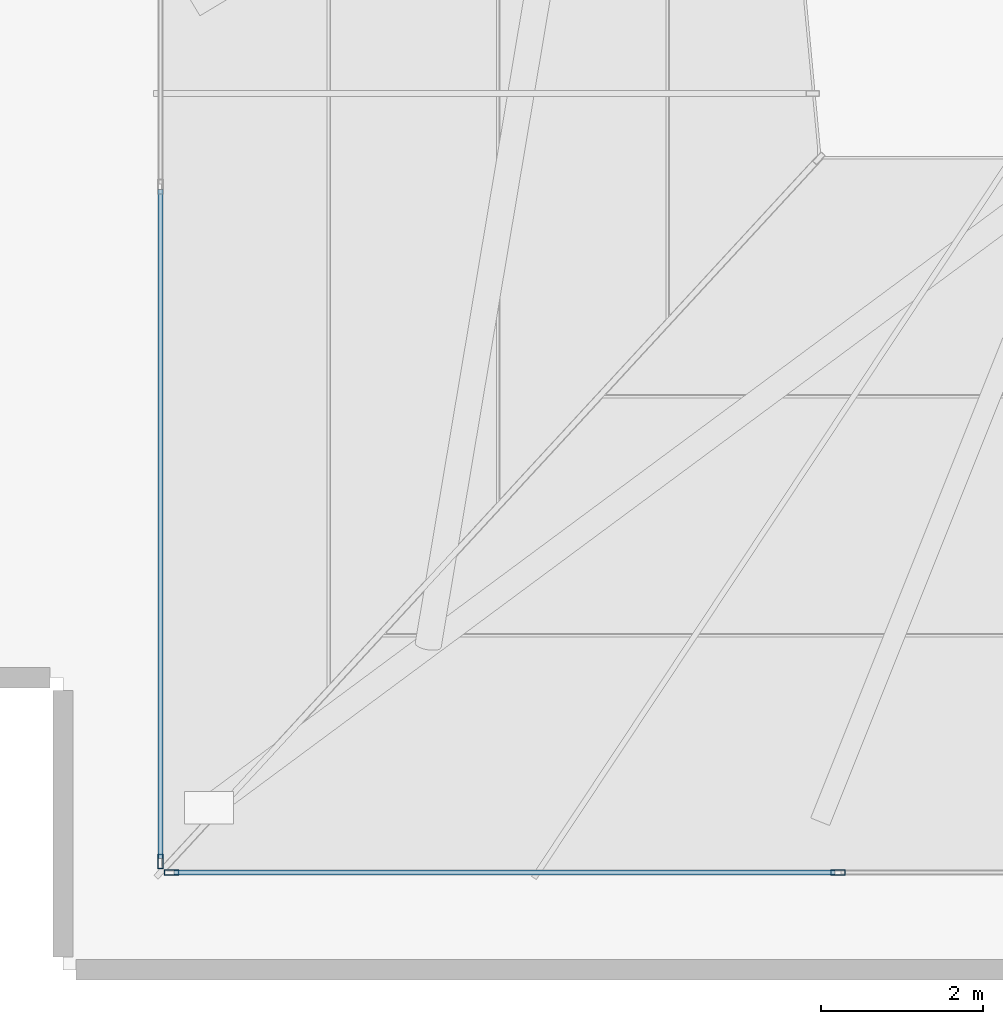
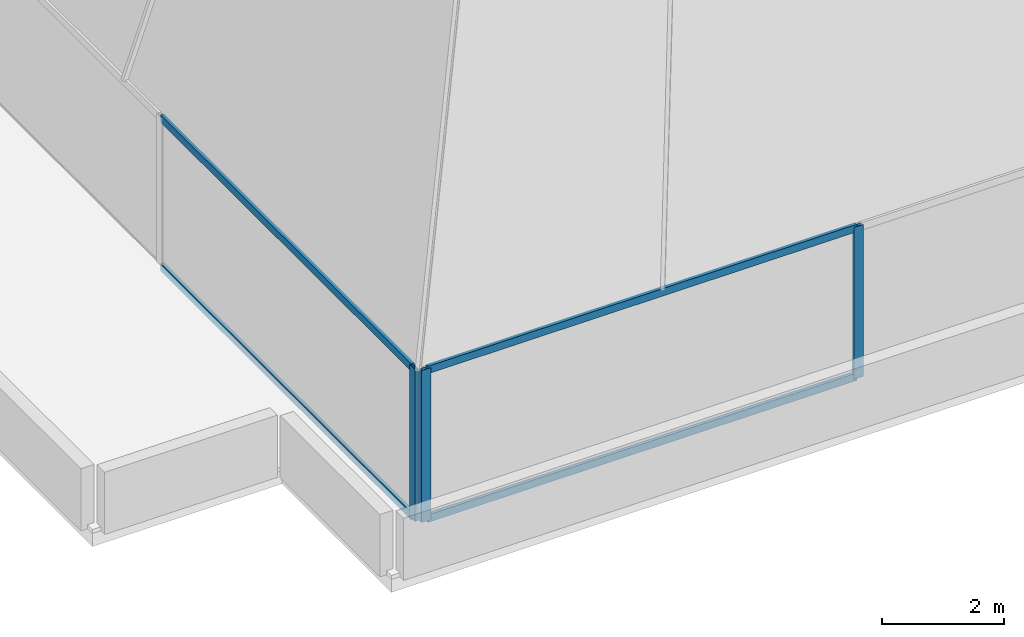
# One storey, part 1 of 32: 7 members, 2 elements without a shape of their own.
"""IFC4 building model written with IfcOpenShell, lengths in metres."""

from ifc_helpers import new_model, si_unit, direction, frame, origin, origin_2d, place, context, subcontext, project, spatial, hollow_rectangle, extrude, source, transform, mapped, material, layer, layer_set, material_profile, profile_set, type_object, element, aggregate, save


model = new_model("IFC4")

# Units and contexts
model_context = context("Model", 3, precision=1e-05, world=origin(), true_north=direction((0.0, 1.0)))
body_context = subcontext(model_context, "Body", "Model", "MODEL_VIEW")
ifc_project = project(units=[si_unit("LENGTHUNIT", "METRE"), si_unit("AREAUNIT", "SQUARE_METRE"), si_unit("VOLUMEUNIT", "CUBIC_METRE"), si_unit("PLANEANGLEUNIT", "RADIAN"), si_unit("MASSUNIT", "GRAM", prefix="KILO")], contexts=[model_context])

# Site, building, storey
site_placement = place(None, origin())
site = spatial("IfcSite", under=ifc_project, at=site_placement, CompositionType="ELEMENT")
building_placement = place(site_placement, origin())
building = spatial("IfcBuilding", under=site, at=building_placement, Name="Sumidabori Civic Tower", CompositionType="ELEMENT")
storey_placement = place(building_placement, frame((0.0, 0.0, 298.199951171875)))
storey = spatial("IfcBuildingStorey", under=building, at=storey_placement, Name="RF Roof Crown", CompositionType="ELEMENT", Elevation=298.199951171875)

# Curtain wall, members
ifc_material = material(Name="Anodised Bronze Aluminium AW-6063-T6", Category="aluminium")
ifc_layer = layer(ifc_material, 0.179931640625, Name="Anodised Bronze Aluminium AW-6063-T6")
ifc_layer_set = layer_set([ifc_layer], Name="Anodised Bronze Aluminium AW-6063-T6")
curtain_wall_type = type_object("IfcCurtainWallType", Name="CW-SYS-6", PredefinedType="NOTDEFINED", material=ifc_layer_set)
curtain_wall_1_placement = place(storey_placement, origin())
curtain_wall_1 = element("IfcCurtainWall", 1, at=curtain_wall_1_placement, inside=storey, type_object=curtain_wall_type, Name="Glass-Point Crown South Prow Curtain Wall", PredefinedType="NOTDEFINED")
ifc_material_profile_1 = material_profile(ifc_material, hollow_rectangle(XDim=0.070068359375, YDim=0.179931640625, WallThickness=0.006103515625, at=origin_2d()), Name="ALU MULLION 180x70")
ifc_profile_set_1 = profile_set([ifc_material_profile_1], Name="Anodised Bronze Aluminium AW-6063-T6")
member_type_1 = type_object("IfcMemberType", Name="CW-MUL-180", PredefinedType="MULLION", material=ifc_profile_set_1)
shared_shape_1 = source(origin(), body_context, "Body", "SweptSolid", [
    extrude(hollow_rectangle(XDim=0.070068359375, YDim=0.179931640625, WallThickness=0.006103515625, at=origin_2d()), origin(), (0.0, 0.0, 1.0), 3.050048828125),
])
member_1_placement = place(storey_placement, frame((-16.465087890625, -10.800048828125, 0.0), z_axis=(0.0, 0.0, 1.0), x_axis=(0.0, 1.0, 0.0)))
member_1 = element("IfcMember", 2, at=member_1_placement, type_object=member_type_1, Name="CW-6 mullion 1", PredefinedType="MULLION", context=body_context, shape_type="MappedRepresentation", body=[
    mapped(shared_shape_1, transform((0.0, 0.0, 0.0), x_axis=(1.0, 0.0, 0.0), y_axis=(0.0, 1.0, 0.0), z_axis=(0.0, 0.0, 1.0), scale=1.0)),
])
member_2_placement = place(storey_placement, frame((-8.25, -10.800048828125, 0.0), z_axis=(0.0, 0.0, 1.0), x_axis=(0.0, 1.0, 0.0)))
member_2 = element("IfcMember", 3, at=member_2_placement, type_object=member_type_1, Name="CW-6 mullion 2", PredefinedType="MULLION", context=body_context, shape_type="MappedRepresentation", body=[
    mapped(shared_shape_1, transform((0.0, 0.0, 0.0), x_axis=(1.0, 0.0, 0.0), y_axis=(0.0, 1.0, 0.0), z_axis=(0.0, 0.0, 1.0), scale=1.0)),
])

# Curtain wall, member
curtain_wall_2_placement = place(storey_placement, origin())
curtain_wall_2 = element("IfcCurtainWall", 4, at=curtain_wall_2_placement, inside=storey, type_object=curtain_wall_type, Name="Glass-Point Crown West Cheek Curtain Wall", PredefinedType="NOTDEFINED")
member_3_placement = place(storey_placement, frame((-16.60009765625, -10.6650390625, 0.0), z_axis=(0.0, 0.0, 1.0), x_axis=(1.0, 0.0, 0.0)))
member_3 = element("IfcMember", 5, at=member_3_placement, type_object=member_type_1, Name="CW-6 mullion 5", PredefinedType="MULLION", context=body_context, shape_type="MappedRepresentation", body=[
    mapped(shared_shape_1, transform((0.0, 0.0, 0.0), x_axis=(1.0, 0.0, 0.0), y_axis=(0.0, 1.0, 0.0), z_axis=(0.0, 0.0, 1.0), scale=1.0)),
])

# Member
ifc_material_profile_2 = material_profile(ifc_material, hollow_rectangle(XDim=0.06494140625, YDim=0.14990234375, WallThickness=0.0048828125, at=origin_2d()), Name="ALU TRANSOM 150x65")
ifc_profile_set_2 = profile_set([ifc_material_profile_2], Name="Anodised Bronze Aluminium AW-6063-T6")
member_type_2 = type_object("IfcMemberType", Name="CW-TRN-150", PredefinedType="USERDEFINED", material=ifc_profile_set_2)
shared_shape_2 = source(origin(), body_context, "Body", "SweptSolid", [
    extrude(hollow_rectangle(XDim=0.06494140625, YDim=0.14990234375, WallThickness=0.0048828125, at=origin_2d()), origin(), (0.0, 0.0, 1.0), 8.14501953125),
])
member_4_placement = place(storey_placement, frame((-16.429931640625, -10.800048828125, 0.032470703125), z_axis=(1.0, 0.0, 0.0), x_axis=(0.0, 1.0, 0.0)))
member_4 = element("IfcMember", 6, at=member_4_placement, type_object=member_type_2, Name="CW-6 transom 1.1", ObjectType="TRANSOM", PredefinedType="USERDEFINED", context=body_context, shape_type="MappedRepresentation", body=[
    mapped(shared_shape_2, transform((0.0, 0.0, 0.0), x_axis=(1.0, 0.0, 0.0), y_axis=(0.0, 1.0, 0.0), z_axis=(0.0, 0.0, 1.0), scale=1.0)),
])

member_5_placement = place(storey_placement, frame((-16.429931640625, -10.800048828125, 3.017578125), z_axis=(1.0, 0.0, 0.0), x_axis=(0.0, 1.0, 0.0)))
member_5 = element("IfcMember", 7, at=member_5_placement, type_object=member_type_2, Name="CW-6 transom 1.2", ObjectType="TRANSOM", PredefinedType="USERDEFINED", context=body_context, shape_type="MappedRepresentation", body=[
    mapped(shared_shape_2, transform((0.0, 0.0, 0.0), x_axis=(1.0, 0.0, 0.0), y_axis=(0.0, 1.0, 0.0), z_axis=(0.0, 0.0, 1.0), scale=1.0)),
])

aggregate(curtain_wall_1, [member_1, member_2, member_4, member_5])

shared_shape_3 = source(origin(), body_context, "Body", "SweptSolid", [
    extrude(hollow_rectangle(XDim=0.06494140625, YDim=0.14990234375, WallThickness=0.0048828125, at=origin_2d()), origin(), (0.0, 0.0, 1.0), 8.244873046875),
])
member_6_placement = place(storey_placement, frame((-16.60009765625, -2.385009765625, 0.032470703125), z_axis=(0.0, -1.0, 0.0), x_axis=(1.0, 0.0, 0.0)))
member_6 = element("IfcMember", 8, at=member_6_placement, type_object=member_type_2, Name="CW-6 transom 4.1", ObjectType="TRANSOM", PredefinedType="USERDEFINED", context=body_context, shape_type="MappedRepresentation", body=[
    mapped(shared_shape_3, transform((0.0, 0.0, 0.0), x_axis=(1.0, 0.0, 0.0), y_axis=(0.0, 1.0, 0.0), z_axis=(0.0, 0.0, 1.0), scale=1.0)),
])

member_7_placement = place(storey_placement, frame((-16.60009765625, -2.385009765625, 3.017578125), z_axis=(0.0, -1.0, 0.0), x_axis=(1.0, 0.0, 0.0)))
member_7 = element("IfcMember", 9, at=member_7_placement, type_object=member_type_2, Name="CW-6 transom 4.2", ObjectType="TRANSOM", PredefinedType="USERDEFINED", context=body_context, shape_type="MappedRepresentation", body=[
    mapped(shared_shape_3, transform((0.0, 0.0, 0.0), x_axis=(1.0, 0.0, 0.0), y_axis=(0.0, 1.0, 0.0), z_axis=(0.0, 0.0, 1.0), scale=1.0)),
])

aggregate(curtain_wall_2, [member_3, member_6, member_7])

save(model, "model.ifc")
